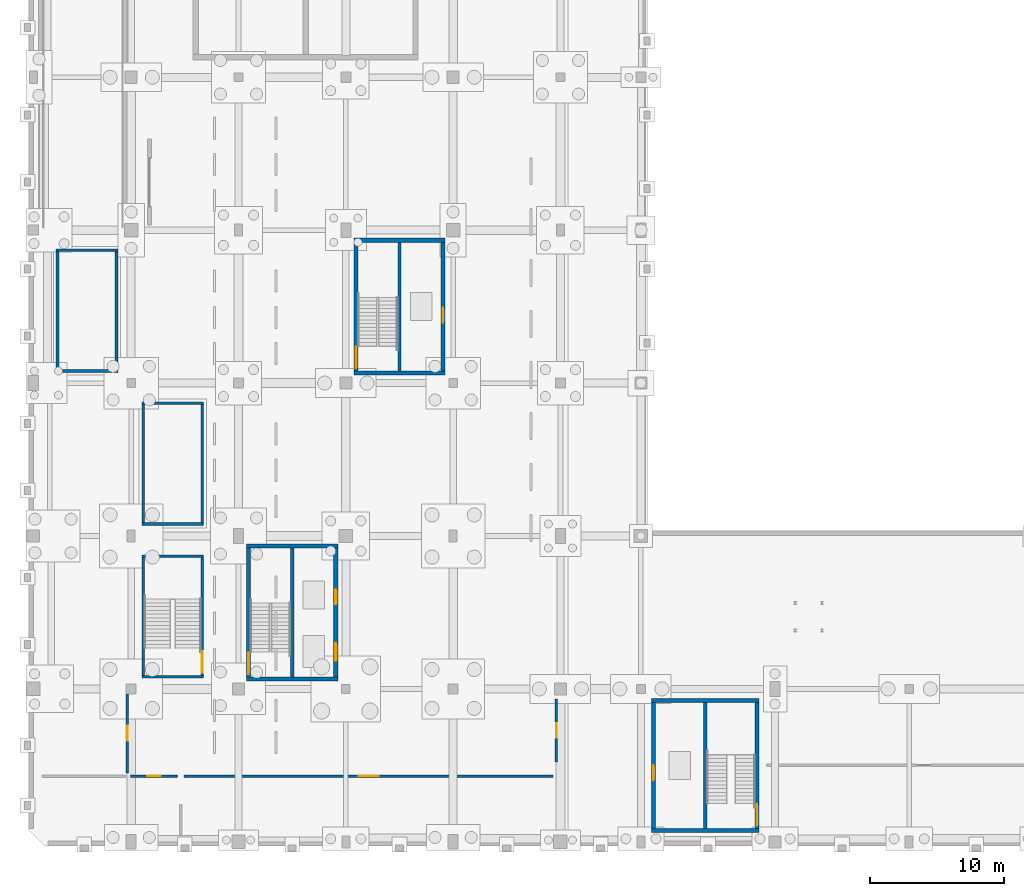
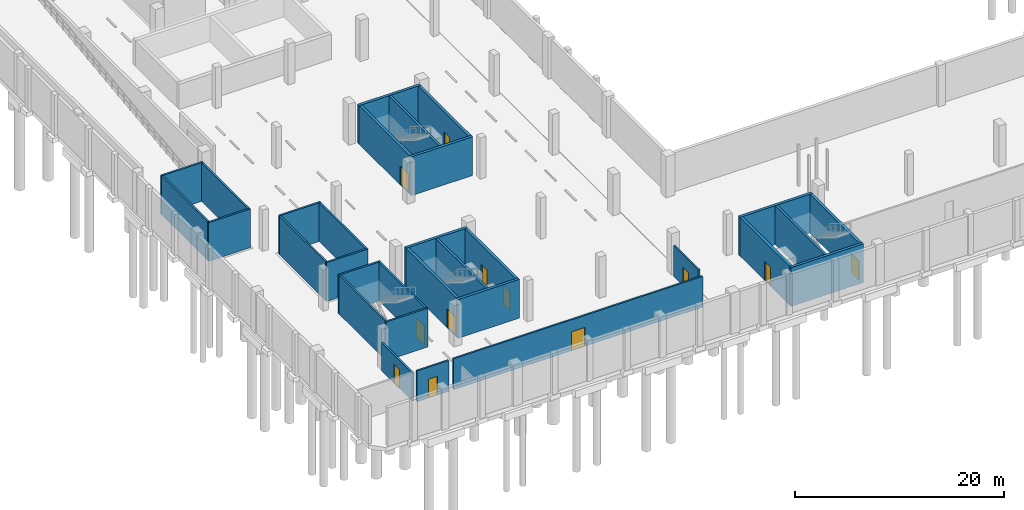
# One storey, part 20 of 34: 31 walls, 12 doors, 12 openings.
"""IFC4 building model written with IfcOpenShell, lengths in metres."""

from ifc_helpers import new_model, si_unit, direction, frame, frame_2d, origin, place, context, subcontext, project, spatial, rectangle, extrude, material, layer, layer_set, type_object, element, fill, save


model = new_model("IFC4")

# Units and contexts
model_context = context("Model", 3, precision=1e-05, world=origin(), true_north=direction((0.0, 1.0)))
body_context = subcontext(model_context, "Body", "Model", "MODEL_VIEW")
ifc_project = project(units=[si_unit("LENGTHUNIT", "METRE"), si_unit("AREAUNIT", "SQUARE_METRE"), si_unit("VOLUMEUNIT", "CUBIC_METRE"), si_unit("PLANEANGLEUNIT", "RADIAN"), si_unit("MASSUNIT", "GRAM", prefix="KILO"), si_unit("POWERUNIT", "WATT"), si_unit("THERMODYNAMICTEMPERATUREUNIT", "KELVIN")], contexts=[model_context])

# Site, building, storey
site_placement = place(None, origin())
site = spatial("IfcSite", under=ifc_project, at=site_placement, CompositionType="ELEMENT")
building_placement = place(site_placement, origin())
building = spatial("IfcBuilding", under=site, at=building_placement, Name="Kelmbourne Parkland Aquatics Centre", CompositionType="ELEMENT")
storey_placement = place(building_placement, frame((0.0, 0.0, -4.800048828125)))
storey = spatial("IfcBuildingStorey", under=building, at=storey_placement, Name="B1", CompositionType="ELEMENT", Elevation=-4.800048828125)

# Walls
ifc_material_1 = material(Name="Concrete C40/50", Category="concrete")
ifc_layer_1 = layer(ifc_material_1, 0.25)
ifc_layer_set_1 = layer_set([ifc_layer_1], Name="Concrete C40/50")
wall_type_1 = type_object("IfcWallType", Name="W-CORE-250", PredefinedType="SHEAR", material=ifc_layer_set_1)
wall_1_placement = place(storey_placement, frame((20.0, 13.10009765625, 0.0), z_axis=(0.0, 0.0, 1.0), x_axis=(0.0, 1.0, 0.0)))
element("IfcWall", 1, at=wall_1_placement, inside=storey, type_object=wall_type_1, Name="West Wing South Fire-Fighting Core divider wall (B1)", PredefinedType="SHEAR", context=body_context, shape_type="SweptSolid", body=[
    extrude(rectangle(XDim=9.599853515625, YDim=0.25, at=frame_2d((4.7998046875, 0.0))), origin(), (0.0, 0.0, 1.0), 4.52001953125),
])
wall_2_placement = place(storey_placement, frame((28.0, 35.89990234375, 0.0), z_axis=(0.0, 0.0, 1.0), x_axis=(0.0, 1.0, 0.0)))
element("IfcWall", 2, at=wall_2_placement, inside=storey, type_object=wall_type_1, Name="West Wing North Passenger Core divider wall (B1)", PredefinedType="SHEAR", context=body_context, shape_type="SweptSolid", body=[
    extrude(rectangle(XDim=9.60009765625, YDim=0.25, at=frame_2d((4.800048828125, 0.0))), origin(), (0.0, 0.0, 1.0), 4.52001953125),
])
wall_3_placement = place(storey_placement, frame((50.800048828125, 1.800048828125, 0.0), z_axis=(0.0, 0.0, 1.0), x_axis=(0.0, 1.0, 0.0)))
element("IfcWall", 3, at=wall_3_placement, inside=storey, type_object=wall_type_1, Name="South Entrance Foyer Gallery Core divider wall (B1)", PredefinedType="SHEAR", context=body_context, shape_type="SweptSolid", body=[
    extrude(rectangle(XDim=9.39990234375, YDim=0.25, at=frame_2d((4.699951171875, 0.0))), origin(), (0.0, 0.0, 1.0), 4.52001953125),
])
ifc_layer_2 = layer(ifc_material_1, 0.300048828125)
ifc_layer_set_2 = layer_set([ifc_layer_2], Name="Concrete C40/50")
wall_type_2 = type_object("IfcWallType", Name="W-CORE-300", PredefinedType="SHEAR", material=ifc_layer_set_2)
for number, where, z_axis, x_axis, name in (
    (4, (16.60009765625, 12.949951171875, 0.0), (0.0, 0.0, 1.0), (1.0, 0.0, 0.0), "West Wing South Fire-Fighting Core south wall (B1)"),
    (5, (16.60009765625, 22.85009765625, 0.0), (0.0, 0.0, 1.0), (1.0, 0.0, 0.0), "West Wing South Fire-Fighting Core north wall (B1)"),
):
    element("IfcWall", number, at=place(storey_placement, frame(where, z_axis=z_axis, x_axis=x_axis)), inside=storey, type_object=wall_type_2, Name=name, PredefinedType="SHEAR", context=body_context, shape_type="SweptSolid", body=[
        extrude(rectangle(XDim=6.7998046875, YDim=0.300048828125, at=frame_2d((3.39990234375, 0.0))), origin(), (0.0, 0.0, 1.0), 4.52001953125),
    ])

# Wall, opening, door
wall_4_placement = place(storey_placement, frame((16.75, 13.10009765625, 0.0), z_axis=(0.0, 0.0, 1.0), x_axis=(0.0, 1.0, 0.0)))
wall_4 = element("IfcWall", 6, at=wall_4_placement, inside=storey, type_object=wall_type_2, Name="West Wing South Fire-Fighting Core west wall (B1)", PredefinedType="SHEAR", context=body_context, shape_type="SweptSolid", body=[
    extrude(rectangle(XDim=9.599853515625, YDim=0.300048828125, at=frame_2d((4.7998046875, 0.0))), origin(), (0.0, 0.0, 1.0), 4.52001953125),
])
opening_1_placement = place(wall_4_placement, frame((0.199951171875, 0.0, 0.0)))
opening_1 = element("IfcOpeningElement", 7, at=opening_1_placement, cuts=wall_4, Name="Opening FD02", PredefinedType="OPENING", context=body_context, shape_type="SweptSolid", body=[
    extrude(rectangle(XDim=1.60009765625, YDim=2.199951171875, at=frame_2d((0.800048828125, 1.10009765625))), frame((0.0, 0.162109375, 0.0), z_axis=(0.0, -1.0, 0.0), x_axis=(1.0, 0.0, 0.0)), (0.0, 0.0, 1.0), 0.323974609375),
])
ifc_material_2 = material(Name="Marine-grade stainless steel and fire-rated hardwood doorset", Category="steel")
ifc_layer_3 = layer(ifc_material_2, 0.050048828125)
ifc_layer_set_3 = layer_set([ifc_layer_3], Name="Marine-grade stainless steel and fire-rated hardwood doorset")
door_type_1 = type_object("IfcDoorType", Name="DR-FD-160", OperationType="NOTDEFINED", PredefinedType="DOOR", material=ifc_layer_set_3)
door_1_placement = place(opening_1_placement, origin())
door_1 = element("IfcDoor", 8, at=door_1_placement, inside=storey, type_object=door_type_1, Name="Fire stair door ST01 (B1)", OperationType="DOUBLE_DOOR_SINGLE_SWING", OverallHeight=2.199951171875, OverallWidth=1.60009765625, PredefinedType="DOOR", context=body_context, shape_type="SweptSolid", body=[
    extrude(rectangle(XDim=1.60009765625, YDim=2.199951171875, at=frame_2d((0.800048828125, 1.10009765625))), frame((0.0, 0.02490234375, 0.0), z_axis=(0.0, -1.0, 0.0), x_axis=(1.0, 0.0, 0.0)), (0.0, 0.0, 1.0), 0.050048828125),
])
fill(opening_1, door_1)

# Wall, openings, doors
wall_5_placement = place(storey_placement, frame((23.25, 13.10009765625, 0.0), z_axis=(0.0, 0.0, 1.0), x_axis=(0.0, 1.0, 0.0)))
wall_5 = element("IfcWall", 9, at=wall_5_placement, inside=storey, type_object=wall_type_2, Name="West Wing South Fire-Fighting Core east wall (B1)", PredefinedType="SHEAR", context=body_context, shape_type="SweptSolid", body=[
    extrude(rectangle(XDim=9.599853515625, YDim=0.300048828125, at=frame_2d((4.7998046875, 0.0))), origin(), (0.0, 0.0, 1.0), 4.52001953125),
])
opening_2_placement = place(wall_5_placement, frame((1.199951171875, 0.0, 0.0)))
opening_2 = element("IfcOpeningElement", 10, at=opening_2_placement, cuts=wall_5, Name="Opening LD02", PredefinedType="OPENING", context=body_context, shape_type="SweptSolid", body=[
    extrude(rectangle(XDim=1.300048828125, YDim=2.199951171875, at=frame_2d((0.64990234375, 1.10009765625))), frame((0.0, 0.162109375, 0.0), z_axis=(0.0, -1.0, 0.0), x_axis=(1.0, 0.0, 0.0)), (0.0, 0.0, 1.0), 0.323974609375),
])
opening_3_placement = place(wall_5_placement, frame((5.39990234375, 0.0, 0.0)))
opening_3 = element("IfcOpeningElement", 11, at=opening_3_placement, cuts=wall_5, Name="Opening LD01", PredefinedType="OPENING", context=body_context, shape_type="SweptSolid", body=[
    extrude(rectangle(XDim=1.10009765625, YDim=2.199951171875, at=frame_2d((0.550048828125, 1.10009765625))), frame((0.0, 0.162109375, 0.0), z_axis=(0.0, -1.0, 0.0), x_axis=(1.0, 0.0, 0.0)), (0.0, 0.0, 1.0), 0.323974609375),
])
ifc_layer_4 = layer(ifc_material_2, 0.050048828125)
ifc_layer_set_4 = layer_set([ifc_layer_4], Name="Marine-grade stainless steel and fire-rated hardwood doorset")
door_type_2 = type_object("IfcDoorType", Name="DR-LD-110", OperationType="NOTDEFINED", PredefinedType="DOOR", material=ifc_layer_set_4)
door_2_placement = place(opening_3_placement, origin())
door_2 = element("IfcDoor", 12, at=door_2_placement, inside=storey, type_object=door_type_2, Name="Lift landing sliding door LF02 (B1)", OperationType="SLIDING_TO_RIGHT", OverallHeight=2.199951171875, OverallWidth=1.10009765625, PredefinedType="DOOR", context=body_context, shape_type="SweptSolid", body=[
    extrude(rectangle(XDim=1.10009765625, YDim=2.199951171875, at=frame_2d((0.550048828125, 1.10009765625))), frame((0.0, 0.02490234375, 0.0), z_axis=(0.0, -1.0, 0.0), x_axis=(1.0, 0.0, 0.0)), (0.0, 0.0, 1.0), 0.050048828125),
])
fill(opening_3, door_2)
ifc_layer_5 = layer(ifc_material_2, 0.050048828125)
ifc_layer_set_5 = layer_set([ifc_layer_5], Name="Marine-grade stainless steel and fire-rated hardwood doorset")
door_type_3 = type_object("IfcDoorType", Name="DR-LD-130", OperationType="NOTDEFINED", PredefinedType="DOOR", material=ifc_layer_set_5)
door_3_placement = place(opening_2_placement, origin())
door_3 = element("IfcDoor", 13, at=door_3_placement, inside=storey, type_object=door_type_3, Name="Lift landing sliding door LF01 (B1)", OperationType="SLIDING_TO_LEFT", OverallHeight=2.199951171875, OverallWidth=1.300048828125, PredefinedType="DOOR", context=body_context, shape_type="SweptSolid", body=[
    extrude(rectangle(XDim=1.300048828125, YDim=2.199951171875, at=frame_2d((0.64990234375, 1.10009765625))), frame((0.0, 0.02490234375, 0.0), z_axis=(0.0, -1.0, 0.0), x_axis=(1.0, 0.0, 0.0)), (0.0, 0.0, 1.0), 0.050048828125),
])
fill(opening_2, door_3)

# Walls
for number, where, z_axis, x_axis, name in (
    (14, (24.60009765625, 35.75, 0.0), (0.0, 0.0, 1.0), (1.0, 0.0, 0.0), "West Wing North Passenger Core south wall (B1)"),
    (15, (24.60009765625, 45.64990234375, 0.0), (0.0, 0.0, 1.0), (1.0, 0.0, 0.0), "West Wing North Passenger Core north wall (B1)"),
):
    element("IfcWall", number, at=place(storey_placement, frame(where, z_axis=z_axis, x_axis=x_axis)), inside=storey, type_object=wall_type_2, Name=name, PredefinedType="SHEAR", context=body_context, shape_type="SweptSolid", body=[
        extrude(rectangle(XDim=6.7998046875, YDim=0.300048828125, at=frame_2d((3.39990234375, 0.0))), origin(), (0.0, 0.0, 1.0), 4.52001953125),
    ])

# Wall, opening, door
wall_6_placement = place(storey_placement, frame((24.75, 35.89990234375, 0.0), z_axis=(0.0, 0.0, 1.0), x_axis=(0.0, 1.0, 0.0)))
wall_6 = element("IfcWall", 16, at=wall_6_placement, inside=storey, type_object=wall_type_2, Name="West Wing North Passenger Core west wall (B1)", PredefinedType="SHEAR", context=body_context, shape_type="SweptSolid", body=[
    extrude(rectangle(XDim=9.60009765625, YDim=0.300048828125, at=frame_2d((4.800048828125, 0.0))), origin(), (0.0, 0.0, 1.0), 4.52001953125),
])
opening_4_placement = place(wall_6_placement, frame((0.199951171875, 0.0, 0.0)))
opening_4 = element("IfcOpeningElement", 17, at=opening_4_placement, cuts=wall_6, Name="Opening FD02", PredefinedType="OPENING", context=body_context, shape_type="SweptSolid", body=[
    extrude(rectangle(XDim=1.60009765625, YDim=2.199951171875, at=frame_2d((0.800048828125, 1.10009765625))), frame((0.0, 0.162109375, 0.0), z_axis=(0.0, -1.0, 0.0), x_axis=(1.0, 0.0, 0.0)), (0.0, 0.0, 1.0), 0.323974609375),
])
door_4_placement = place(opening_4_placement, origin())
door_4 = element("IfcDoor", 18, at=door_4_placement, inside=storey, type_object=door_type_1, Name="Fire stair door ST02 (B1)", OperationType="DOUBLE_DOOR_SINGLE_SWING", OverallHeight=2.199951171875, OverallWidth=1.60009765625, PredefinedType="DOOR", context=body_context, shape_type="SweptSolid", body=[
    extrude(rectangle(XDim=1.60009765625, YDim=2.199951171875, at=frame_2d((0.800048828125, 1.10009765625))), frame((0.0, 0.02490234375, 0.0), z_axis=(0.0, -1.0, 0.0), x_axis=(1.0, 0.0, 0.0)), (0.0, 0.0, 1.0), 0.050048828125),
])
fill(opening_4, door_4)

wall_7_placement = place(storey_placement, frame((31.25, 35.89990234375, 0.0), z_axis=(0.0, 0.0, 1.0), x_axis=(0.0, 1.0, 0.0)))
wall_7 = element("IfcWall", 19, at=wall_7_placement, inside=storey, type_object=wall_type_2, Name="West Wing North Passenger Core east wall (B1)", PredefinedType="SHEAR", context=body_context, shape_type="SweptSolid", body=[
    extrude(rectangle(XDim=9.60009765625, YDim=0.300048828125, at=frame_2d((4.800048828125, 0.0))), origin(), (0.0, 0.0, 1.0), 4.52001953125),
])
opening_5_placement = place(wall_7_placement, frame((3.60009765625, 0.0, 0.0)))
opening_5 = element("IfcOpeningElement", 20, at=opening_5_placement, cuts=wall_7, Name="Opening LD01", PredefinedType="OPENING", context=body_context, shape_type="SweptSolid", body=[
    extrude(rectangle(XDim=1.10009765625, YDim=2.199951171875, at=frame_2d((0.550048828125, 1.10009765625))), frame((0.0, 0.162109375, 0.0), z_axis=(0.0, -1.0, 0.0), x_axis=(1.0, 0.0, 0.0)), (0.0, 0.0, 1.0), 0.323974609375),
])
door_5_placement = place(opening_5_placement, origin())
door_5 = element("IfcDoor", 21, at=door_5_placement, inside=storey, type_object=door_type_2, Name="Lift landing sliding door LF03 (B1)", OperationType="SLIDING_TO_LEFT", OverallHeight=2.199951171875, OverallWidth=1.10009765625, PredefinedType="DOOR", context=body_context, shape_type="SweptSolid", body=[
    extrude(rectangle(XDim=1.10009765625, YDim=2.199951171875, at=frame_2d((0.550048828125, 1.10009765625))), frame((0.0, 0.02490234375, 0.0), z_axis=(0.0, -1.0, 0.0), x_axis=(1.0, 0.0, 0.0)), (0.0, 0.0, 1.0), 0.050048828125),
])
fill(opening_5, door_5)

# Walls
for number, where, z_axis, x_axis, name in (
    (22, (46.800048828125, 1.64990234375, 0.0), (0.0, 0.0, 1.0), (1.0, 0.0, 0.0), "South Entrance Foyer Gallery Core south wall (B1)"),
    (23, (46.800048828125, 11.35009765625, 0.0), (0.0, 0.0, 1.0), (1.0, 0.0, 0.0), "South Entrance Foyer Gallery Core north wall (B1)"),
):
    element("IfcWall", number, at=place(storey_placement, frame(where, z_axis=z_axis, x_axis=x_axis)), inside=storey, type_object=wall_type_2, Name=name, PredefinedType="SHEAR", context=body_context, shape_type="SweptSolid", body=[
        extrude(rectangle(XDim=8.0, YDim=0.300048828125, at=frame_2d((4.0, 0.0))), origin(), (0.0, 0.0, 1.0), 4.52001953125),
    ])

# Wall, opening, door
wall_8_placement = place(storey_placement, frame((46.949951171875, 1.800048828125, 0.0), z_axis=(0.0, 0.0, 1.0), x_axis=(0.0, 1.0, 0.0)))
wall_8 = element("IfcWall", 24, at=wall_8_placement, inside=storey, type_object=wall_type_2, Name="South Entrance Foyer Gallery Core west wall (B1)", PredefinedType="SHEAR", context=body_context, shape_type="SweptSolid", body=[
    extrude(rectangle(XDim=9.39990234375, YDim=0.300048828125, at=frame_2d((4.699951171875, 0.0))), origin(), (0.0, 0.0, 1.0), 4.52001953125),
])
opening_6_placement = place(wall_8_placement, frame((3.60009765625, 0.0, 0.0)))
opening_6 = element("IfcOpeningElement", 25, at=opening_6_placement, cuts=wall_8, Name="Opening LD01", PredefinedType="OPENING", context=body_context, shape_type="SweptSolid", body=[
    extrude(rectangle(XDim=1.10009765625, YDim=2.199951171875, at=frame_2d((0.550048828125, 1.10009765625))), frame((0.0, 0.162109375, 0.0), z_axis=(0.0, -1.0, 0.0), x_axis=(1.0, 0.0, 0.0)), (0.0, 0.0, 1.0), 0.323974609375),
])
door_6_placement = place(opening_6_placement, origin())
door_6 = element("IfcDoor", 26, at=door_6_placement, inside=storey, type_object=door_type_2, Name="Lift landing sliding door LF04 (B1)", OperationType="SLIDING_TO_LEFT", OverallHeight=2.199951171875, OverallWidth=1.10009765625, PredefinedType="DOOR", context=body_context, shape_type="SweptSolid", body=[
    extrude(rectangle(XDim=1.10009765625, YDim=2.199951171875, at=frame_2d((0.550048828125, 1.10009765625))), frame((0.0, 0.02490234375, 0.0), z_axis=(0.0, -1.0, 0.0), x_axis=(1.0, 0.0, 0.0)), (0.0, 0.0, 1.0), 0.050048828125),
])
fill(opening_6, door_6)

wall_9_placement = place(storey_placement, frame((54.64990234375, 1.800048828125, 0.0), z_axis=(0.0, 0.0, 1.0), x_axis=(0.0, 1.0, 0.0)))
wall_9 = element("IfcWall", 27, at=wall_9_placement, inside=storey, type_object=wall_type_2, Name="South Entrance Foyer Gallery Core east wall (B1)", PredefinedType="SHEAR", context=body_context, shape_type="SweptSolid", body=[
    extrude(rectangle(XDim=9.39990234375, YDim=0.300048828125, at=frame_2d((4.699951171875, 0.0))), origin(), (0.0, 0.0, 1.0), 4.52001953125),
])
opening_7_placement = place(wall_9_placement, frame((0.199951171875, 0.0, 0.0)))
opening_7 = element("IfcOpeningElement", 28, at=opening_7_placement, cuts=wall_9, Name="Opening FD02", PredefinedType="OPENING", context=body_context, shape_type="SweptSolid", body=[
    extrude(rectangle(XDim=1.60009765625, YDim=2.199951171875, at=frame_2d((0.800048828125, 1.10009765625))), frame((0.0, 0.162109375, 0.0), z_axis=(0.0, -1.0, 0.0), x_axis=(1.0, 0.0, 0.0)), (0.0, 0.0, 1.0), 0.323974609375),
])
door_7_placement = place(opening_7_placement, frame((1.60009765625, 0.0, 0.0), z_axis=(0.0, 0.0, 1.0), x_axis=(-1.0, 0.0, 0.0)))
door_7 = element("IfcDoor", 29, at=door_7_placement, inside=storey, type_object=door_type_1, Name="Fire stair door ST03 (B1)", OperationType="DOUBLE_DOOR_SINGLE_SWING", OverallHeight=2.199951171875, OverallWidth=1.60009765625, PredefinedType="DOOR", context=body_context, shape_type="SweptSolid", body=[
    extrude(rectangle(XDim=1.60009765625, YDim=2.199951171875, at=frame_2d((0.800048828125, 1.10009765625))), frame((0.0, 0.02490234375, 0.0), z_axis=(0.0, -1.0, 0.0), x_axis=(1.0, 0.0, 0.0)), (0.0, 0.0, 1.0), 0.050048828125),
])
fill(opening_7, door_7)

# Walls
ifc_material_3 = material(Name="Concrete blockwork C32/40", Category="masonry")
ifc_layer_6 = layer(ifc_material_3, 0.199951171875)
ifc_layer_set_6 = layer_set([ifc_layer_6], Name="Concrete blockwork C32/40")
wall_type_3 = type_object("IfcWallType", Name="W-FIRE-200", PredefinedType="SOLIDWALL", material=ifc_layer_set_6)
for number, where, z_axis, x_axis, name in (
    (30, (8.800048828125, 13.10009765625, 0.0), (0.0, 0.0, 1.0), (1.0, 0.0, 0.0), "West South Perimeter Exit Stair south enclosure (B1)"),
    (31, (8.800048828125, 22.10009765625, 0.0), (0.0, 0.0, 1.0), (1.0, 0.0, 0.0), "West South Perimeter Exit Stair north enclosure (B1)"),
):
    element("IfcWall", number, at=place(storey_placement, frame(where, z_axis=z_axis, x_axis=x_axis)), inside=storey, type_object=wall_type_3, Name=name, PredefinedType="SOLIDWALL", context=body_context, shape_type="SweptSolid", body=[
        extrude(rectangle(XDim=4.599853515625, YDim=0.199951171875, at=frame_2d((2.2998046875, 0.0))), origin(), (0.0, 0.0, 1.0), 4.52001953125),
    ])
wall_10_placement = place(storey_placement, frame((8.89990234375, 13.199951171875, 0.0), z_axis=(0.0, 0.0, 1.0), x_axis=(0.0, 1.0, 0.0)))
element("IfcWall", 32, at=wall_10_placement, inside=storey, type_object=wall_type_3, Name="West South Perimeter Exit Stair west enclosure (B1)", PredefinedType="SOLIDWALL", context=body_context, shape_type="SweptSolid", body=[
    extrude(rectangle(XDim=8.800048828125, YDim=0.199951171875, at=frame_2d((4.39990234375, 0.0))), origin(), (0.0, 0.0, 1.0), 4.52001953125),
])

# Wall, opening, door
wall_11_placement = place(storey_placement, frame((13.300048828125, 13.199951171875, 0.0), z_axis=(0.0, 0.0, 1.0), x_axis=(0.0, 1.0, 0.0)))
wall_11 = element("IfcWall", 33, at=wall_11_placement, inside=storey, type_object=wall_type_3, Name="West South Perimeter Exit Stair east enclosure (B1)", PredefinedType="SOLIDWALL", context=body_context, shape_type="SweptSolid", body=[
    extrude(rectangle(XDim=8.800048828125, YDim=0.199951171875, at=frame_2d((4.39990234375, 0.0))), origin(), (0.0, 0.0, 1.0), 4.52001953125),
])
opening_8_placement = place(wall_11_placement, frame((0.219970703125, 0.0, 0.0)))
opening_8 = element("IfcOpeningElement", 34, at=opening_8_placement, cuts=wall_11, Name="Opening FD02", PredefinedType="OPENING", context=body_context, shape_type="SweptSolid", body=[
    extrude(rectangle(XDim=1.60009765625, YDim=2.199951171875, at=frame_2d((0.800048828125, 1.10009765625))), frame((0.0, 0.11181640625, 0.0), z_axis=(0.0, -1.0, 0.0), x_axis=(1.0, 0.0, 0.0)), (0.0, 0.0, 1.0), 0.223876953125),
])
door_8_placement = place(opening_8_placement, frame((1.60009765625, 0.0, 0.0), z_axis=(0.0, 0.0, 1.0), x_axis=(-1.0, 0.0, 0.0)))
door_8 = element("IfcDoor", 35, at=door_8_placement, inside=storey, type_object=door_type_1, Name="Exit stair fire door ST06 (B1)", OperationType="DOUBLE_DOOR_SINGLE_SWING", OverallHeight=2.199951171875, OverallWidth=1.60009765625, PredefinedType="DOOR", context=body_context, shape_type="SweptSolid", body=[
    extrude(rectangle(XDim=1.60009765625, YDim=2.199951171875, at=frame_2d((0.800048828125, 1.10009765625))), frame((0.0, 0.02490234375, 0.0), z_axis=(0.0, -1.0, 0.0), x_axis=(1.0, 0.0, 0.0)), (0.0, 0.0, 1.0), 0.050048828125),
])
fill(opening_8, door_8)

# Walls
for number, where, z_axis, x_axis, name in (
    (36, (8.800048828125, 24.5, 0.0), (0.0, 0.0, 1.0), (1.0, 0.0, 0.0), "West Central Park Exit Stair substructure wall S"),
    (37, (8.800048828125, 33.5, 0.0), (0.0, 0.0, 1.0), (1.0, 0.0, 0.0), "West Central Park Exit Stair substructure wall N"),
):
    element("IfcWall", number, at=place(storey_placement, frame(where, z_axis=z_axis, x_axis=x_axis)), inside=storey, type_object=wall_type_3, Name=name, PredefinedType="SOLIDWALL", context=body_context, shape_type="SweptSolid", body=[
        extrude(rectangle(XDim=4.599853515625, YDim=0.199951171875, at=frame_2d((2.2998046875, 0.0))), origin(), (0.0, 0.0, 1.0), 4.52001953125),
    ])
for number, where, z_axis, x_axis, name in (
    (38, (8.89990234375, 24.60009765625, 0.0), (0.0, 0.0, 1.0), (0.0, 1.0, 0.0), "West Central Park Exit Stair substructure wall W"),
    (39, (13.300048828125, 24.60009765625, 0.0), (0.0, 0.0, 1.0), (0.0, 1.0, 0.0), "West Central Park Exit Stair substructure wall E"),
):
    element("IfcWall", number, at=place(storey_placement, frame(where, z_axis=z_axis, x_axis=x_axis)), inside=storey, type_object=wall_type_3, Name=name, PredefinedType="SOLIDWALL", context=body_context, shape_type="SweptSolid", body=[
        extrude(rectangle(XDim=8.7998046875, YDim=0.199951171875, at=frame_2d((4.39990234375, 0.0))), origin(), (0.0, 0.0, 1.0), 4.52001953125),
    ])
for number, where, z_axis, x_axis, name in (
    (40, (2.39990234375, 35.89990234375, 0.0), (0.0, 0.0, 1.0), (1.0, 0.0, 0.0), "West Hydrotherapy Exit Stair substructure wall S"),
    (41, (2.39990234375, 44.89990234375, 0.0), (0.0, 0.0, 1.0), (1.0, 0.0, 0.0), "West Hydrotherapy Exit Stair substructure wall N"),
):
    element("IfcWall", number, at=place(storey_placement, frame(where, z_axis=z_axis, x_axis=x_axis)), inside=storey, type_object=wall_type_3, Name=name, PredefinedType="SOLIDWALL", context=body_context, shape_type="SweptSolid", body=[
        extrude(rectangle(XDim=4.60009765625, YDim=0.199951171875, at=frame_2d((2.300048828125, 0.0))), origin(), (0.0, 0.0, 1.0), 4.52001953125),
    ])
for number, where, z_axis, x_axis, name in (
    (42, (2.5, 36.0, 0.0), (0.0, 0.0, 1.0), (0.0, 1.0, 0.0), "West Hydrotherapy Exit Stair substructure wall W"),
    (43, (6.89990234375, 36.0, 0.0), (0.0, 0.0, 1.0), (0.0, 1.0, 0.0), "West Hydrotherapy Exit Stair substructure wall E"),
):
    element("IfcWall", number, at=place(storey_placement, frame(where, z_axis=z_axis, x_axis=x_axis)), inside=storey, type_object=wall_type_3, Name=name, PredefinedType="SOLIDWALL", context=body_context, shape_type="SweptSolid", body=[
        extrude(rectangle(XDim=8.800048828125, YDim=0.199951171875, at=frame_2d((4.39990234375, 0.0))), origin(), (0.0, 0.0, 1.0), 4.52001953125),
    ])

# Wall, opening, door
ifc_layer_7 = layer(ifc_material_3, 0.18994140625)
ifc_layer_set_7 = layer_set([ifc_layer_7], Name="Concrete blockwork C32/40")
wall_type_4 = type_object("IfcWallType", Name="W-SOLID-190", PredefinedType="SOLIDWALL", material=ifc_layer_set_7)
wall_12_placement = place(storey_placement, frame((7.699951171875, 5.949951171875, 0.0), z_axis=(0.0, 0.0, 1.0), x_axis=(0.0, 1.0, 0.0)))
wall_12 = element("IfcWall", 44, at=wall_12_placement, inside=storey, type_object=wall_type_4, Name="Interior partition PT-B1-001", PredefinedType="SOLIDWALL", context=body_context, shape_type="SweptSolid", body=[
    extrude(rectangle(XDim=5.873046875, YDim=0.18994140625, at=frame_2d((2.9365234375, 0.0))), origin(), (0.0, 0.0, 1.0), 3.255126953125),
])
opening_9_placement = place(wall_12_placement, frame((2.386474609375, 0.0, 0.0)))
opening_9 = element("IfcOpeningElement", 45, at=opening_9_placement, cuts=wall_12, Name="Opening FD03", PredefinedType="OPENING", context=body_context, shape_type="SweptSolid", body=[
    extrude(rectangle(XDim=1.10009765625, YDim=2.199951171875, at=frame_2d((0.550048828125, 1.10009765625))), frame((0.0, 0.10693359375, 0.0), z_axis=(0.0, -1.0, 0.0), x_axis=(1.0, 0.0, 0.0)), (0.0, 0.0, 1.0), 0.2138671875),
])
ifc_layer_8 = layer(ifc_material_2, 0.050048828125)
ifc_layer_set_8 = layer_set([ifc_layer_8], Name="Marine-grade stainless steel and fire-rated hardwood doorset")
door_type_4 = type_object("IfcDoorType", Name="DR-FD-110", OperationType="NOTDEFINED", PredefinedType="DOOR", material=ifc_layer_set_8)
door_9_placement = place(opening_9_placement, origin())
door_9 = element("IfcDoor", 46, at=door_9_placement, inside=storey, type_object=door_type_4, Name="Interior door FD03 (B1-001)", OperationType="SINGLE_SWING_LEFT", OverallHeight=2.199951171875, OverallWidth=1.10009765625, PredefinedType="DOOR", context=body_context, shape_type="SweptSolid", body=[
    extrude(rectangle(XDim=1.10009765625, YDim=2.199951171875, at=frame_2d((0.550048828125, 1.10009765625))), frame((0.0, 0.02490234375, 0.0), z_axis=(0.0, -1.0, 0.0), x_axis=(1.0, 0.0, 0.0)), (0.0, 0.0, 1.0), 0.050048828125),
])
fill(opening_9, door_9)

wall_13_placement = place(storey_placement, frame((7.949951171875, 5.699951171875, 0.0), z_axis=(0.0, 0.0, 1.0), x_axis=(1.0, 0.0, 0.0)))
wall_13 = element("IfcWall", 47, at=wall_13_placement, inside=storey, type_object=wall_type_4, Name="Interior partition PT-B1-002", PredefinedType="SOLIDWALL", context=body_context, shape_type="SweptSolid", body=[
    extrude(rectangle(XDim=3.5, YDim=0.18994140625, at=frame_2d((1.75, 0.0))), origin(), (0.0, 0.0, 1.0), 3.60498046875),
])
opening_10_placement = place(wall_13_placement, frame((1.25, 0.0, 0.0)))
opening_10 = element("IfcOpeningElement", 48, at=opening_10_placement, cuts=wall_13, Name="Opening FD04", PredefinedType="OPENING", context=body_context, shape_type="SweptSolid", body=[
    extrude(rectangle(XDim=1.0, YDim=2.199951171875, at=frame_2d((0.5, 1.10009765625))), frame((0.0, 0.10693359375, 0.0), z_axis=(0.0, -1.0, 0.0), x_axis=(1.0, 0.0, 0.0)), (0.0, 0.0, 1.0), 0.2138671875),
])
ifc_layer_9 = layer(ifc_material_2, 0.050048828125)
ifc_layer_set_9 = layer_set([ifc_layer_9], Name="Marine-grade stainless steel and fire-rated hardwood doorset")
door_type_5 = type_object("IfcDoorType", Name="DR-FD-100", OperationType="NOTDEFINED", PredefinedType="DOOR", material=ifc_layer_set_9)
door_10_placement = place(opening_10_placement, origin())
door_10 = element("IfcDoor", 49, at=door_10_placement, inside=storey, type_object=door_type_5, Name="Interior door FD04 (B1-002)", OperationType="SINGLE_SWING_RIGHT", OverallHeight=2.199951171875, OverallWidth=1.0, PredefinedType="DOOR", context=body_context, shape_type="SweptSolid", body=[
    extrude(rectangle(XDim=1.0, YDim=2.199951171875, at=frame_2d((0.5, 1.10009765625))), frame((0.0, 0.02490234375, 0.0), z_axis=(0.0, -1.0, 0.0), x_axis=(1.0, 0.0, 0.0)), (0.0, 0.0, 1.0), 0.050048828125),
])
fill(opening_10, door_10)

wall_14_placement = place(storey_placement, frame((11.949951171875, 5.699951171875, 0.0), z_axis=(0.0, 0.0, 1.0), x_axis=(1.0, 0.0, 0.0)))
wall_14 = element("IfcWall", 50, at=wall_14_placement, inside=storey, type_object=wall_type_4, Name="Interior partition PT-B1-003", PredefinedType="SOLIDWALL", context=body_context, shape_type="SweptSolid", body=[
    extrude(rectangle(XDim=27.5, YDim=0.18994140625, at=frame_2d((13.75, 0.0))), origin(), (0.0, 0.0, 1.0), 3.60498046875),
])
opening_11_placement = place(wall_14_placement, frame((13.0, 0.0, 0.0)))
opening_11 = element("IfcOpeningElement", 51, at=opening_11_placement, cuts=wall_14, Name="Opening ID02", PredefinedType="OPENING", context=body_context, shape_type="SweptSolid", body=[
    extrude(rectangle(XDim=1.5, YDim=2.199951171875, at=frame_2d((0.75, 1.10009765625))), frame((0.0, 0.10693359375, 0.0), z_axis=(0.0, -1.0, 0.0), x_axis=(1.0, 0.0, 0.0)), (0.0, 0.0, 1.0), 0.2138671875),
])
ifc_material_4 = material(Name="Marine-grade stainless steel and solid-core hardwood doorset", Category="timber")
ifc_layer_10 = layer(ifc_material_4, 0.050048828125)
ifc_layer_set_10 = layer_set([ifc_layer_10], Name="Marine-grade stainless steel and solid-core hardwood doorset")
door_type_6 = type_object("IfcDoorType", Name="DR-INT-150", OperationType="NOTDEFINED", PredefinedType="DOOR", material=ifc_layer_set_10)
door_11_placement = place(opening_11_placement, origin())
door_11 = element("IfcDoor", 52, at=door_11_placement, inside=storey, type_object=door_type_6, Name="Interior door ID02 (B1-003)", OperationType="DOUBLE_DOOR_SINGLE_SWING", OverallHeight=2.199951171875, OverallWidth=1.5, PredefinedType="DOOR", context=body_context, shape_type="SweptSolid", body=[
    extrude(rectangle(XDim=1.5, YDim=2.199951171875, at=frame_2d((0.75, 1.10009765625))), frame((0.0, 0.02490234375, 0.0), z_axis=(0.0, -1.0, 0.0), x_axis=(1.0, 0.0, 0.0)), (0.0, 0.0, 1.0), 0.050048828125),
])
fill(opening_11, door_11)

wall_15_placement = place(storey_placement, frame((39.699951171875, 6.75, 0.0), z_axis=(0.0, 0.0, 1.0), x_axis=(0.0, 1.0, 0.0)))
wall_15 = element("IfcWall", 53, at=wall_15_placement, inside=storey, type_object=wall_type_4, Name="Interior partition PT-B1-008", PredefinedType="SOLIDWALL", context=body_context, shape_type="SweptSolid", body=[
    extrude(rectangle(XDim=4.699951171875, YDim=0.18994140625, at=frame_2d((2.35009765625, 0.0))), origin(), (0.0, 0.0, 1.0), 3.60498046875),
])
opening_12_placement = place(wall_15_placement, frame((1.824951171875, 0.0, 0.0)))
opening_12 = element("IfcOpeningElement", 54, at=opening_12_placement, cuts=wall_15, Name="Opening ID04", PredefinedType="OPENING", context=body_context, shape_type="SweptSolid", body=[
    extrude(rectangle(XDim=1.050048828125, YDim=2.14990234375, at=frame_2d((0.52490234375, 1.074951171875))), frame((0.0, 0.10693359375, 0.0), z_axis=(0.0, -1.0, 0.0), x_axis=(1.0, 0.0, 0.0)), (0.0, 0.0, 1.0), 0.2138671875),
])
ifc_layer_11 = layer(ifc_material_4, 0.050048828125)
ifc_layer_set_11 = layer_set([ifc_layer_11], Name="Marine-grade stainless steel and solid-core hardwood doorset")
door_type_7 = type_object("IfcDoorType", Name="DR-INT-105", OperationType="NOTDEFINED", PredefinedType="DOOR", material=ifc_layer_set_11)
door_12_placement = place(opening_12_placement, origin())
door_12 = element("IfcDoor", 55, at=door_12_placement, inside=storey, type_object=door_type_7, Name="Interior door ID04 (B1-006)", OperationType="SINGLE_SWING_RIGHT", OverallHeight=2.14990234375, OverallWidth=1.050048828125, PredefinedType="DOOR", context=body_context, shape_type="SweptSolid", body=[
    extrude(rectangle(XDim=1.050048828125, YDim=2.14990234375, at=frame_2d((0.52490234375, 1.074951171875))), frame((0.0, 0.02490234375, 0.0), z_axis=(0.0, -1.0, 0.0), x_axis=(1.0, 0.0, 0.0)), (0.0, 0.0, 1.0), 0.050048828125),
])
fill(opening_12, door_12)

save(model, "model.ifc")
